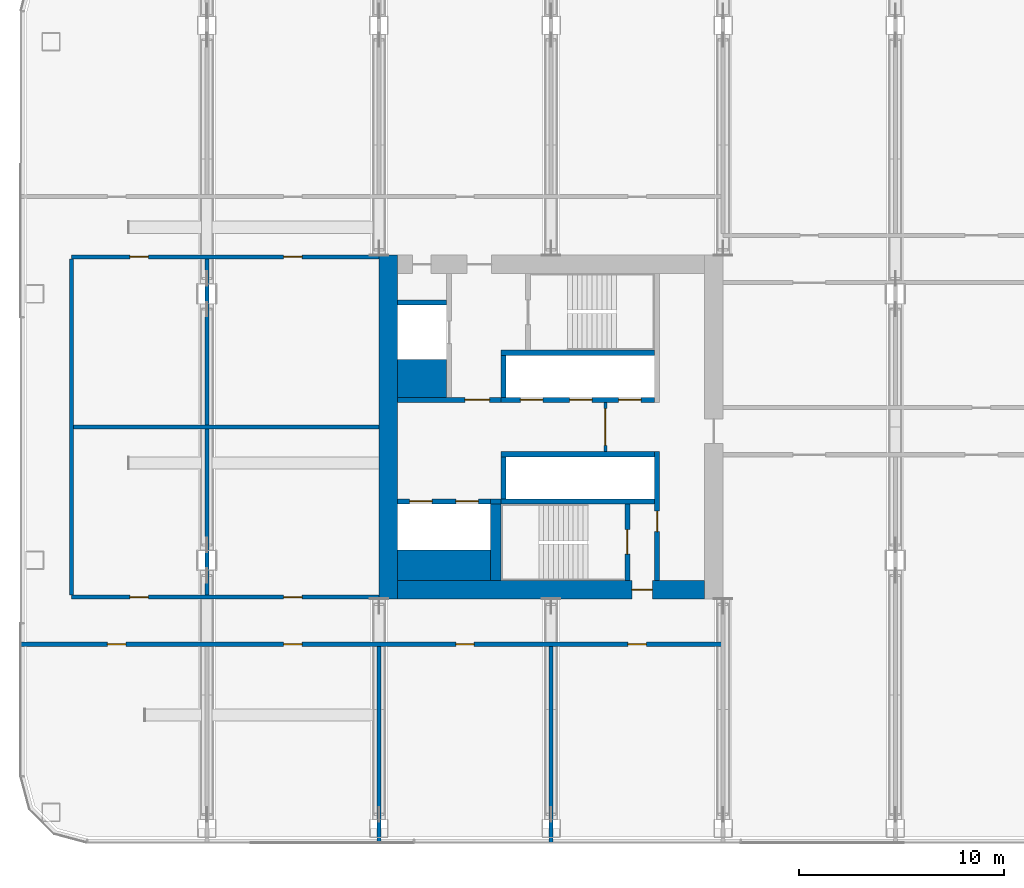
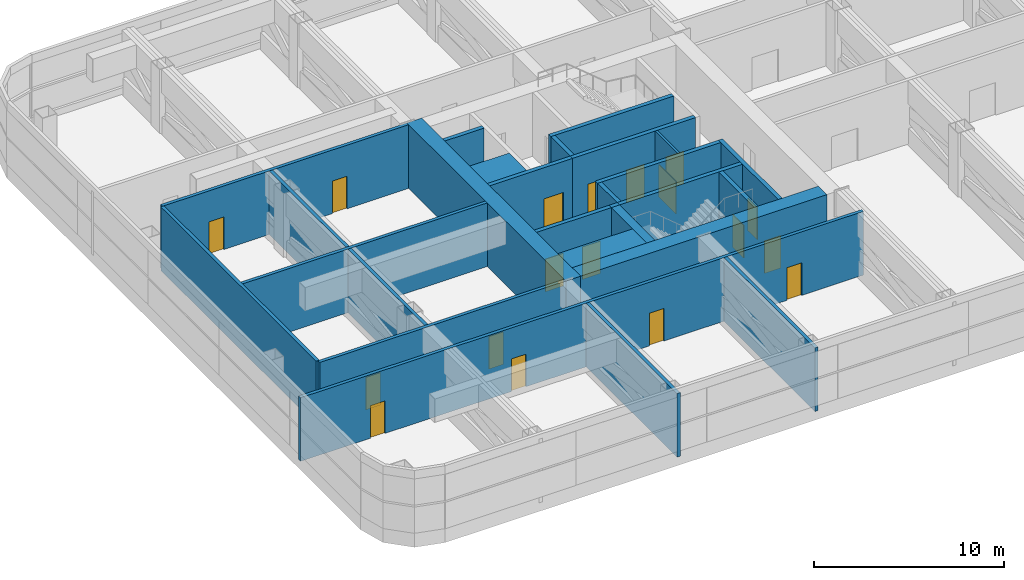
# One storey, part 16 of 30: 26 walls, 18 doors, 18 openings.
"""IFC4 building model written with IfcOpenShell, lengths in metres."""

import ifcopenshell
import ifcopenshell.guid

model = None  # the IFC model being written
_history = None  # IfcOwnerHistory: only IFC2X3 demands one
_inside = {}  # id of a spatial element -> (the spatial element, [elements in it])
_under = {}  # id of a project, library or spatial element -> (it, [spatial elements below it])
_declared = {}  # id of a project -> (the project, [libraries it declares])
_typed = {}  # id of a type object -> (the type object, [elements of that type])
_made_of = {}  # id of a material, layer set ... -> (it, [elements and type objects made of it])


def new_model(schema):
    """Start an empty IFC model of exactly this schema.

    Asked for "IFC4X3", IfcOpenShell would pick the latest addendum, in which some entities
    have other attributes; the version numbers below select the first issue.
    IFC2X3 requires an IfcOwnerHistory on every rooted entity: one is made here for all.
    """
    global model, _history
    if schema == "IFC4X3":
        model = ifcopenshell.file(schema_version=(4, 3, 0, 0))
    else:
        model = ifcopenshell.file(schema=schema)
    _inside.clear()
    _under.clear()
    _declared.clear()
    _typed.clear()
    _made_of.clear()
    _history = None
    if model.schema == "IFC2X3":
        org = make("IfcOrganization", Name="unknown")
        user = make(
            "IfcPersonAndOrganization",
            ThePerson=make("IfcPerson", FamilyName="unknown"),
            TheOrganization=org,
        )
        app = make(
            "IfcApplication",
            ApplicationDeveloper=org,
            Version="unknown",
            ApplicationFullName="unknown",
            ApplicationIdentifier="unknown",
        )
        _history = make(
            "IfcOwnerHistory",
            OwningUser=user,
            OwningApplication=app,
            ChangeAction="ADDED",
            CreationDate=0,
        )
    return model


def make(cls, **values):
    """One entity of the class cls with the attributes given. An attribute that is None is left unset."""
    return model.create_entity(
        cls, **{name: value for name, value in values.items() if value is not None}
    )


def rooted(cls, **values):
    """An entity with a GlobalId (a new one), such as an element, a storey or a relation."""
    return make(cls, GlobalId=ifcopenshell.guid.new(), OwnerHistory=_history, **values)


def si_unit(unit_type, name, prefix=None):
    """IfcSIUnit, for example si_unit("LENGTHUNIT", "METRE", prefix="MILLI")."""
    return make("IfcSIUnit", UnitType=unit_type, Prefix=prefix, Name=name)


def assignment(units):
    """IfcUnitAssignment: the units of a project."""
    return None if units is None else make("IfcUnitAssignment", Units=units)


def point(xyz):
    """IfcCartesianPoint."""
    return None if xyz is None else make("IfcCartesianPoint", Coordinates=xyz)


def direction(xyz):
    """IfcDirection."""
    return None if xyz is None else make("IfcDirection", DirectionRatios=xyz)


def frame(location, z_axis=None, x_axis=None):
    """IfcAxis2Placement3D, a coordinate frame: its origin and axes. An axis left out is left unset."""
    return make(
        "IfcAxis2Placement3D",
        Location=point(location),
        Axis=direction(z_axis),
        RefDirection=direction(x_axis),
    )


def frame_2d(location, x_axis=None):
    """IfcAxis2Placement2D, a coordinate frame in the plane: its origin and x axis."""
    return make(
        "IfcAxis2Placement2D", Location=point(location), RefDirection=direction(x_axis)
    )


def origin():
    """The frame at (0, 0, 0) with its axes left unset."""
    return frame((0.0, 0.0, 0.0))


def place(relative_to, where):
    """IfcLocalPlacement: puts the frame where relative to a parent placement (None: the world)."""
    return make(
        "IfcLocalPlacement", PlacementRelTo=relative_to, RelativePlacement=where
    )


def context(
    kind, dimensions, precision=None, world=None, true_north=None, identifier=None
):
    """IfcGeometricRepresentationContext, for example the 3D "Model" context."""
    return make(
        "IfcGeometricRepresentationContext",
        ContextIdentifier=identifier,
        ContextType=kind,
        CoordinateSpaceDimension=dimensions,
        Precision=precision,
        WorldCoordinateSystem=world,
        TrueNorth=true_north,
    )


def subcontext(parent, identifier, kind, view, scale=None):
    """IfcGeometricRepresentationSubContext, for example "Body" below "Model"."""
    return make(
        "IfcGeometricRepresentationSubContext",
        ContextIdentifier=identifier,
        ContextType=kind,
        ParentContext=parent,
        TargetScale=scale,
        TargetView=view,
    )


def project(units=None, contexts=None):
    """IfcProject with its units and contexts."""
    return rooted(
        "IfcProject",
        Name="project",
        RepresentationContexts=contexts,
        UnitsInContext=assignment(units),
    )


def spatial(cls, under=None, at=None, **own):
    """A site, building, storey or space (cls), placed at a placement, below another one or the project."""
    s = rooted(cls, ObjectPlacement=at, **own)
    if under is not None:
        _under.setdefault(under.id(), (under, []))[1].append(s)
    return s


def profile(cls, at=None, kind="AREA", **sizes):
    """A parametric profile (cls). Its sizes go by their IFC names, for example OverallWidth=200.0."""
    return make(cls, ProfileType=kind, Position=at, **sizes)


def rectangle(**sizes):
    """IfcRectangleProfileDef."""
    return profile("IfcRectangleProfileDef", **sizes)


def extrude(swept, where, along, depth):
    """IfcExtrudedAreaSolid: the profile swept, set in the frame where, extruded along a direction by depth."""
    return make(
        "IfcExtrudedAreaSolid",
        SweptArea=swept,
        Position=where,
        ExtrudedDirection=direction(along),
        Depth=depth,
    )


def shape(context_of_items, identifier, shape_type, items):
    """IfcShapeRepresentation: the items that make up one representation, for example the "Body"."""
    return make(
        "IfcShapeRepresentation",
        ContextOfItems=context_of_items,
        RepresentationIdentifier=identifier,
        RepresentationType=shape_type,
        Items=items,
    )


def material(Name=None, Category=None):
    """IfcMaterial."""
    return make("IfcMaterial", Name=Name, Category=Category)


def layer(
    of_material, thickness, ventilated=None, Name=None, Category=None, Priority=None
):
    """IfcMaterialLayer: one layer of a wall or slab, of a material (None: an air gap)."""
    return make(
        "IfcMaterialLayer",
        Material=of_material,
        LayerThickness=thickness,
        IsVentilated=ventilated,
        Name=Name,
        Category=Category,
        Priority=Priority,
    )


def layer_set(layers, Name=None):
    """IfcMaterialLayerSet."""
    return make("IfcMaterialLayerSet", MaterialLayers=layers, LayerSetName=Name)


def made_of(thing, what):
    """Note that an element or type object is made of a material, layer set ...; save() writes the relation."""
    if what is not None:
        _made_of.setdefault(what.id(), (what, []))[1].append(thing)
    return thing


def type_object(cls, material=None, **own):
    """A type object (cls), such as IfcWallType, which elements share."""
    return made_of(rooted(cls, **own), material)


def element(
    cls,
    number,
    at=None,
    inside=None,
    cuts=None,
    type_object=None,
    material=None,
    context=None,
    identifier="Body",
    shape_type=None,
    held_by="IfcProductDefinitionShape",
    body=None,
    shapes=None,
    **own,
):
    """One element of the class cls, such as IfcWall. Its Tag is "e" and its number.

    at: its placement. inside: the storey or other place that contains it. cuts: it is an
    opening in that element (IfcRelVoidsElement). A single representation is given by context,
    identifier, shape_type and body (its items); several are given by shapes. held_by: the class
    of the entity that holds the representations. save() writes the other relations.
    """
    e = rooted(cls, Tag="e%d" % number, ObjectPlacement=at, **own)
    if body is not None:
        shapes = [shape(context, identifier, shape_type, body)]
    if shapes is not None:
        e.Representation = make(held_by, Representations=shapes)
    if inside is not None:
        _inside.setdefault(inside.id(), (inside, []))[1].append(e)
    if cuts is not None:
        rooted(
            "IfcRelVoidsElement", RelatingBuildingElement=cuts, RelatedOpeningElement=e
        )
    if type_object is not None:
        _typed.setdefault(type_object.id(), (type_object, []))[1].append(e)
    return made_of(e, material)


def fill(opening, filler):
    """IfcRelFillsElement: the door or window that sits in an opening."""
    return rooted(
        "IfcRelFillsElement",
        RelatingOpeningElement=opening,
        RelatedBuildingElement=filler,
    )


def aggregate(whole, parts):
    """IfcRelAggregates: a whole, such as a stair, and the parts it consists of."""
    return rooted("IfcRelAggregates", RelatingObject=whole, RelatedObjects=parts)


def save(model, path):
    """Write the relations noted so far, then the file.

    IfcRelAggregates (storeys below a building ...), IfcRelContainedInSpatialStructure (elements
    in a storey), IfcRelDefinesByType, IfcRelAssociatesMaterial and IfcRelDeclares: one each for
    every whole, place, type object, material and project.
    """
    for whole, parts in _under.values():
        aggregate(whole, parts)
    for where, things in _inside.values():
        rooted(
            "IfcRelContainedInSpatialStructure",
            RelatedElements=things,
            RelatingStructure=where,
        )
    for kind, things in _typed.values():
        rooted("IfcRelDefinesByType", RelatedObjects=things, RelatingType=kind)
    for what, things in _made_of.values():
        rooted("IfcRelAssociatesMaterial", RelatedObjects=things, RelatingMaterial=what)
    for by, libraries in _declared.values():
        rooted("IfcRelDeclares", RelatingContext=by, RelatedDefinitions=libraries)
    model.write(path)


model = new_model("IFC4")

# Units and contexts
model_context = context("Model", 3, precision=1e-05, world=origin(), true_north=direction((0.0, 1.0)))
body_context = subcontext(model_context, "Body", "Model", "MODEL_VIEW")
ifc_project = project(units=[si_unit("LENGTHUNIT", "METRE"), si_unit("AREAUNIT", "SQUARE_METRE"), si_unit("VOLUMEUNIT", "CUBIC_METRE"), si_unit("PLANEANGLEUNIT", "RADIAN"), si_unit("MASSUNIT", "GRAM", prefix="KILO")], contexts=[model_context])

# Site, building, storey
site_placement = place(None, origin())
site = spatial("IfcSite", under=ifc_project, at=site_placement, CompositionType="ELEMENT")
building_placement = place(site_placement, origin())
building = spatial("IfcBuilding", under=site, at=building_placement, Name="Hakoniwa Tower and Hamabe Station Hall", CompositionType="ELEMENT")
storey_placement = place(building_placement, frame((0.0, 0.0, 64.60009765625)))
storey = spatial("IfcBuildingStorey", under=building, at=storey_placement, Name="L18", CompositionType="ELEMENT", Elevation=64.60009765625)

# Wall, opening, door
ifc_material_1 = material(Name="Gypsum board partition")
ifc_layer_1 = layer(ifc_material_1, 0.14990234375)
ifc_layer_set_1 = layer_set([ifc_layer_1], Name="CORE PARTITION 150 EI 60")
wall_type_1 = type_object("IfcWallType", Name="CORE PARTITION 150 EI 60", PredefinedType="PARTITIONING", material=ifc_layer_set_1)
wall_1_placement = place(storey_placement, frame((-22.550048828125, -1.199951171875, 0.0), z_axis=(0.0, 0.0, 1.0), x_axis=(0.0, 1.0, 0.0)))
wall_1 = element("IfcWall", 1, at=wall_1_placement, inside=storey, type_object=wall_type_1, Name="Core partition PL0 west", PredefinedType="PARTITIONING", context=body_context, shape_type="SweptSolid", body=[
    extrude(rectangle(XDim=2.39990234375, YDim=0.14990234375, at=frame_2d((1.199951171875, 0.0))), origin(), (0.0, 0.0, 1.0), 4.099853515625),
])
opening_1_placement = place(wall_1_placement, frame((0.300048828125, 0.0, 0.0)))
opening_1 = element("IfcOpeningElement", 2, at=opening_1_placement, cuts=wall_1, Name="Opening CD-W-LP0-18", PredefinedType="OPENING", context=body_context, shape_type="SweptSolid", body=[
    extrude(rectangle(XDim=1.800048828125, YDim=2.10009765625, at=frame_2d((0.89990234375, 1.050048828125))), frame((0.0, 0.0849609375, 0.0), z_axis=(0.0, -1.0, 0.0), x_axis=(1.0, 0.0, 0.0)), (0.0, 0.0, 1.0), 0.169921875),
])
ifc_material_2 = material(Name="Steel fire door", Category="steel")
door_type_1 = type_object("IfcDoorType", Name="CORE DOOR 1800 FD60", OperationType="DOUBLE_DOOR_SINGLE_SWING", PredefinedType="DOOR", material=ifc_material_2)
door_1_placement = place(opening_1_placement, origin())
door_1 = element("IfcDoor", 3, at=door_1_placement, inside=storey, type_object=door_type_1, Name="Lift lobby partition door", OperationType="DOUBLE_DOOR_SINGLE_SWING", OverallHeight=2.10009765625, OverallWidth=1.800048828125, PredefinedType="DOOR", context=body_context, shape_type="SweptSolid", body=[
    extrude(rectangle(XDim=1.800048828125, YDim=2.10009765625, at=frame_2d((0.89990234375, 1.050048828125))), frame((0.0, 0.02490234375, 0.0), z_axis=(0.0, -1.0, 0.0), x_axis=(1.0, 0.0, 0.0)), (0.0, 0.0, 1.0), 0.050048828125),
])
fill(opening_1, door_1)

# Wall
ifc_material_3 = material(Name="Concrete C80", Category="concrete")
ifc_layer_2 = layer(ifc_material_3, 0.89990234375)
ifc_layer_set_2 = layer_set([ifc_layer_2], Name="CORE WALL 900 C80")
wall_type_2 = type_object("IfcWallType", Name="CORE WALL 900 C80", PredefinedType="SHEAR", material=ifc_layer_set_2)
wall_2_placement = place(storey_placement, frame((-33.14990234375, -8.39990234375, 0.0), z_axis=(0.0, 0.0, 1.0), x_axis=(0.0, 1.0, 0.0)))
element("IfcWall", 4, at=wall_2_placement, inside=storey, type_object=wall_type_2, Name="Core wall OUTER west", PredefinedType="SHEAR", context=body_context, shape_type="SweptSolid", body=[
    extrude(rectangle(XDim=16.7998046875, YDim=0.89990234375, at=frame_2d((8.39990234375, 0.0))), origin(), (0.0, 0.0, 1.0), 4.099853515625),
])

# Wall, opening, door
wall_3_placement = place(storey_placement, frame((-32.699951171875, -7.949951171875, 0.0), z_axis=(0.0, 0.0, 1.0), x_axis=(1.0, 0.0, 0.0)))
wall_3 = element("IfcWall", 5, at=wall_3_placement, inside=storey, type_object=wall_type_2, Name="Core wall SOUTH west", PredefinedType="SHEAR", context=body_context, shape_type="SweptSolid", body=[
    extrude(rectangle(XDim=15.0, YDim=0.89990234375, at=frame_2d((7.5, 0.0))), origin(), (0.0, 0.0, 1.0), 4.099853515625),
])
opening_2_placement = place(wall_3_placement, frame((11.449951171875, 0.0, 0.0)))
opening_2 = element("IfcOpeningElement", 6, at=opening_2_placement, cuts=wall_3, Name="Opening CD-W-FS3-10", PredefinedType="OPENING", context=body_context, shape_type="SweptSolid", body=[
    extrude(rectangle(XDim=1.0, YDim=2.10009765625, at=frame_2d((0.5, 1.050048828125))), frame((0.0, 0.4599609375, 0.0), z_axis=(0.0, -1.0, 0.0), x_axis=(1.0, 0.0, 0.0)), (0.0, 0.0, 1.0), 0.919921875),
])
ifc_material_4 = material(Name="Steel fire door", Category="steel")
door_type_2 = type_object("IfcDoorType", Name="CORE DOOR 1000 FD60", OperationType="NOTDEFINED", PredefinedType="DOOR", material=ifc_material_4)
door_2_placement = place(opening_2_placement, origin())
door_2 = element("IfcDoor", 7, at=door_2_placement, inside=storey, type_object=door_type_2, Name="Stair vestibule door", OperationType="SINGLE_SWING_LEFT", OverallHeight=2.10009765625, OverallWidth=1.0, PredefinedType="DOOR", context=body_context, shape_type="SweptSolid", body=[
    extrude(rectangle(XDim=1.0, YDim=2.10009765625, at=frame_2d((0.5, 1.050048828125))), frame((0.0, 0.02490234375, 0.0), z_axis=(0.0, -1.0, 0.0), x_axis=(1.0, 0.0, 0.0)), (0.0, 0.0, 1.0), 0.050048828125),
])
fill(opening_2, door_2)

# Walls
ifc_material_5 = material(Name="Concrete C80", Category="concrete")
ifc_layer_3 = layer(ifc_material_5, 1.5)
ifc_layer_set_3 = layer_set([ifc_layer_3], Name="CORE WEB WALL 1500 C80")
wall_type_3 = type_object("IfcWallType", Name="CORE WEB WALL 1500 C80", PredefinedType="SHEAR", material=ifc_layer_set_3)
wall_4_placement = place(storey_placement, frame((-32.699951171875, -6.75, 0.0), z_axis=(0.0, 0.0, 1.0), x_axis=(1.0, 0.0, 0.0)))
element("IfcWall", 8, at=wall_4_placement, inside=storey, type_object=wall_type_3, Name="Core wall SER west", PredefinedType="SHEAR", context=body_context, shape_type="SweptSolid", body=[
    extrude(rectangle(XDim=4.550048828125, YDim=1.5, at=frame_2d((2.27490234375, 0.0))), origin(), (0.0, 0.0, 1.0), 4.099853515625),
])
ifc_material_6 = material(Name="Concrete C80", Category="concrete")
ifc_layer_4 = layer(ifc_material_6, 1.85009765625)
ifc_layer_set_4 = layer_set([ifc_layer_4], Name="CORE WEB WALL 1850 C80")
wall_type_4 = type_object("IfcWallType", Name="CORE WEB WALL 1850 C80", PredefinedType="SHEAR", material=ifc_layer_set_4)
wall_5_placement = place(storey_placement, frame((-32.699951171875, 2.375, 0.0), z_axis=(0.0, 0.0, 1.0), x_axis=(1.0, 0.0, 0.0)))
element("IfcWall", 9, at=wall_5_placement, inside=storey, type_object=wall_type_4, Name="Core wall CA west", PredefinedType="SHEAR", context=body_context, shape_type="SweptSolid", body=[
    extrude(rectangle(XDim=2.39990234375, YDim=1.85009765625, at=frame_2d((1.199951171875, 0.0))), origin(), (0.0, 0.0, 1.0), 4.099853515625),
])

# Wall, opening, door
ifc_material_7 = material(Name="Concrete C80", Category="concrete")
ifc_layer_5 = layer(ifc_material_7, 0.25)
ifc_layer_set_5 = layer_set([ifc_layer_5], Name="CORE WEB WALL 250 C80")
wall_type_5 = type_object("IfcWallType", Name="CORE WEB WALL 250 C80", PredefinedType="SHEAR", material=ifc_layer_set_5)
wall_6_placement = place(storey_placement, frame((-20.02490234375, -7.5, 0.0), z_axis=(0.0, 0.0, 1.0), x_axis=(0.0, 1.0, 0.0)))
wall_6 = element("IfcWall", 10, at=wall_6_placement, inside=storey, type_object=wall_type_5, Name="Core wall W1S west", PredefinedType="SHEAR", context=body_context, shape_type="SweptSolid", body=[
    extrude(rectangle(XDim=6.300048828125, YDim=0.25, at=frame_2d((3.14990234375, 0.0))), origin(), (0.0, 0.0, 1.0), 4.099853515625),
])
opening_3_placement = place(wall_6_placement, frame((2.39990234375, 0.0, 0.0)))
opening_3 = element("IfcOpeningElement", 11, at=opening_3_placement, cuts=wall_6, Name="Opening CD-W-VS-10", PredefinedType="OPENING", context=body_context, shape_type="SweptSolid", body=[
    extrude(rectangle(XDim=1.0, YDim=2.10009765625, at=frame_2d((0.5, 1.050048828125))), frame((0.0, 0.135009765625, 0.0), z_axis=(0.0, -1.0, 0.0), x_axis=(1.0, 0.0, 0.0)), (0.0, 0.0, 1.0), 0.27001953125),
])
door_3_placement = place(opening_3_placement, origin())
door_3 = element("IfcDoor", 12, at=door_3_placement, inside=storey, type_object=door_type_2, Name="Stair vestibule door", OperationType="SINGLE_SWING_LEFT", OverallHeight=2.10009765625, OverallWidth=1.0, PredefinedType="DOOR", context=body_context, shape_type="SweptSolid", body=[
    extrude(rectangle(XDim=1.0, YDim=2.10009765625, at=frame_2d((0.5, 1.050048828125))), frame((0.0, 0.02490234375, 0.0), z_axis=(0.0, -1.0, 0.0), x_axis=(1.0, 0.0, 0.0)), (0.0, 0.0, 1.0), 0.050048828125),
])
fill(opening_3, door_3)

# Wall, openings, doors
wall_7_placement = place(storey_placement, frame((-27.64990234375, 1.324951171875, 0.0), z_axis=(0.0, 0.0, 1.0), x_axis=(1.0, 0.0, 0.0)))
wall_7 = element("IfcWall", 13, at=wall_7_placement, inside=storey, type_object=wall_type_5, Name="Core wall NF west", PredefinedType="SHEAR", context=body_context, shape_type="SweptSolid", body=[
    extrude(rectangle(XDim=7.5, YDim=0.25, at=frame_2d((3.75, 0.0))), origin(), (0.0, 0.0, 1.0), 4.099853515625),
])
opening_4_placement = place(wall_7_placement, frame((5.75, 0.0, 0.0)))
opening_4 = element("IfcOpeningElement", 14, at=opening_4_placement, cuts=wall_7, Name="Opening LD-LR1", PredefinedType="OPENING", context=body_context, shape_type="SweptSolid", body=[
    extrude(rectangle(XDim=1.10009765625, YDim=2.10009765625, at=frame_2d((0.550048828125, 1.050048828125))), frame((0.0, 0.135009765625, 0.0), z_axis=(0.0, -1.0, 0.0), x_axis=(1.0, 0.0, 0.0)), (0.0, 0.0, 1.0), 0.27001953125),
])
opening_5_placement = place(wall_7_placement, frame((3.35009765625, 0.0, 0.0)))
opening_5 = element("IfcOpeningElement", 15, at=opening_5_placement, cuts=wall_7, Name="Opening LD-LR2", PredefinedType="OPENING", context=body_context, shape_type="SweptSolid", body=[
    extrude(rectangle(XDim=1.10009765625, YDim=2.10009765625, at=frame_2d((0.550048828125, 1.050048828125))), frame((0.0, 0.135009765625, 0.0), z_axis=(0.0, -1.0, 0.0), x_axis=(1.0, 0.0, 0.0)), (0.0, 0.0, 1.0), 0.27001953125),
])
opening_6_placement = place(wall_7_placement, frame((0.949951171875, 0.0, 0.0)))
opening_6 = element("IfcOpeningElement", 16, at=opening_6_placement, cuts=wall_7, Name="Opening LD-LR3", PredefinedType="OPENING", context=body_context, shape_type="SweptSolid", body=[
    extrude(rectangle(XDim=1.10009765625, YDim=2.10009765625, at=frame_2d((0.550048828125, 1.050048828125))), frame((0.0, 0.135009765625, 0.0), z_axis=(0.0, -1.0, 0.0), x_axis=(1.0, 0.0, 0.0)), (0.0, 0.0, 1.0), 0.27001953125),
])
ifc_material_8 = material(Name="Stainless steel SUS304", Category="steel")
door_type_3 = type_object("IfcDoorType", Name="LIFT LANDING DOOR 1100 FD60", OperationType="DOUBLE_DOOR_SLIDING", PredefinedType="DOOR", material=ifc_material_8)
door_4_placement = place(opening_4_placement, origin())
door_4 = element("IfcDoor", 17, at=door_4_placement, inside=storey, type_object=door_type_3, Name="Lift landing door LR1 L18", OperationType="DOUBLE_DOOR_SLIDING", OverallHeight=2.10009765625, OverallWidth=1.10009765625, PredefinedType="DOOR", context=body_context, shape_type="SweptSolid", body=[
    extrude(rectangle(XDim=1.10009765625, YDim=2.10009765625, at=frame_2d((0.550048828125, 1.050048828125))), frame((0.0, 0.02490234375, 0.0), z_axis=(0.0, -1.0, 0.0), x_axis=(1.0, 0.0, 0.0)), (0.0, 0.0, 1.0), 0.050048828125),
])
fill(opening_4, door_4)
door_5_placement = place(opening_5_placement, origin())
door_5 = element("IfcDoor", 18, at=door_5_placement, inside=storey, type_object=door_type_3, Name="Lift landing door LR2 L18", OperationType="DOUBLE_DOOR_SLIDING", OverallHeight=2.10009765625, OverallWidth=1.10009765625, PredefinedType="DOOR", context=body_context, shape_type="SweptSolid", body=[
    extrude(rectangle(XDim=1.10009765625, YDim=2.10009765625, at=frame_2d((0.550048828125, 1.050048828125))), frame((0.0, 0.02490234375, 0.0), z_axis=(0.0, -1.0, 0.0), x_axis=(1.0, 0.0, 0.0)), (0.0, 0.0, 1.0), 0.050048828125),
])
fill(opening_5, door_5)
door_6_placement = place(opening_6_placement, origin())
door_6 = element("IfcDoor", 19, at=door_6_placement, inside=storey, type_object=door_type_3, Name="Lift landing door LR3 L18", OperationType="DOUBLE_DOOR_SLIDING", OverallHeight=2.10009765625, OverallWidth=1.10009765625, PredefinedType="DOOR", context=body_context, shape_type="SweptSolid", body=[
    extrude(rectangle(XDim=1.10009765625, YDim=2.10009765625, at=frame_2d((0.550048828125, 1.050048828125))), frame((0.0, 0.02490234375, 0.0), z_axis=(0.0, -1.0, 0.0), x_axis=(1.0, 0.0, 0.0)), (0.0, 0.0, 1.0), 0.050048828125),
])
fill(opening_6, door_6)

# Walls
wall_8_placement = place(storey_placement, frame((-27.52490234375, 1.449951171875, 0.0), z_axis=(0.0, 0.0, 1.0), x_axis=(0.0, 1.0, 0.0)))
element("IfcWall", 20, at=wall_8_placement, inside=storey, type_object=wall_type_5, Name="Core wall NE west", PredefinedType="SHEAR", context=body_context, shape_type="SweptSolid", body=[
    extrude(rectangle(XDim=2.050048828125, YDim=0.25, at=frame_2d((1.02490234375, 0.0))), origin(), (0.0, 0.0, 1.0), 4.099853515625),
])
wall_9_placement = place(storey_placement, frame((-27.64990234375, 3.625, 0.0), z_axis=(0.0, 0.0, 1.0), x_axis=(1.0, 0.0, 0.0)))
element("IfcWall", 21, at=wall_9_placement, inside=storey, type_object=wall_type_5, Name="Core wall NR west", PredefinedType="SHEAR", context=body_context, shape_type="SweptSolid", body=[
    extrude(rectangle(XDim=7.5, YDim=0.25, at=frame_2d((3.75, 0.0))), origin(), (0.0, 0.0, 1.0), 4.099853515625),
])

# Wall, opening, door
wall_10_placement = place(storey_placement, frame((-32.699951171875, 1.324951171875, 0.0), z_axis=(0.0, 0.0, 1.0), x_axis=(1.0, 0.0, 0.0)))
wall_10 = element("IfcWall", 22, at=wall_10_placement, inside=storey, type_object=wall_type_5, Name="Core wall ELN west", PredefinedType="SHEAR", context=body_context, shape_type="SweptSolid", body=[
    extrude(rectangle(XDim=5.050048828125, YDim=0.25, at=frame_2d((2.52490234375, 0.0))), origin(), (0.0, 0.0, 1.0), 4.099853515625),
])
opening_7_placement = place(wall_10_placement, frame((3.300048828125, 0.0, 0.0)))
opening_7 = element("IfcOpeningElement", 23, at=opening_7_placement, cuts=wall_10, Name="Opening CD-W-FL-12", PredefinedType="OPENING", context=body_context, shape_type="SweptSolid", body=[
    extrude(rectangle(XDim=1.199951171875, YDim=2.10009765625, at=frame_2d((0.60009765625, 1.050048828125))), frame((0.0, 0.135009765625, 0.0), z_axis=(0.0, -1.0, 0.0), x_axis=(1.0, 0.0, 0.0)), (0.0, 0.0, 1.0), 0.27001953125),
])
ifc_material_9 = material(Name="Steel fire door", Category="steel")
door_type_4 = type_object("IfcDoorType", Name="CORE DOOR 1200 FD60", OperationType="DOUBLE_DOOR_SINGLE_SWING", PredefinedType="DOOR", material=ifc_material_9)
door_7_placement = place(opening_7_placement, origin())
door_7 = element("IfcDoor", 24, at=door_7_placement, inside=storey, type_object=door_type_4, Name="Stair vestibule door to the fire-fighting lobby", OperationType="DOUBLE_DOOR_SINGLE_SWING", OverallHeight=2.10009765625, OverallWidth=1.199951171875, PredefinedType="DOOR", context=body_context, shape_type="SweptSolid", body=[
    extrude(rectangle(XDim=1.199951171875, YDim=2.10009765625, at=frame_2d((0.60009765625, 1.050048828125))), frame((0.0, 0.02490234375, 0.0), z_axis=(0.0, -1.0, 0.0), x_axis=(1.0, 0.0, 0.0)), (0.0, 0.0, 1.0), 0.050048828125),
])
fill(opening_7, door_7)

# Walls
wall_11_placement = place(storey_placement, frame((-32.699951171875, 6.074951171875, 0.0), z_axis=(0.0, 0.0, 1.0), x_axis=(1.0, 0.0, 0.0)))
element("IfcWall", 25, at=wall_11_placement, inside=storey, type_object=wall_type_5, Name="Core wall C2 west", PredefinedType="SHEAR", context=body_context, shape_type="SweptSolid", body=[
    extrude(rectangle(XDim=2.39990234375, YDim=0.25, at=frame_2d((1.199951171875, 0.0))), origin(), (0.0, 0.0, 1.0), 4.099853515625),
])
wall_12_placement = place(storey_placement, frame((-27.64990234375, -1.324951171875, 0.0), z_axis=(0.0, 0.0, 1.0), x_axis=(1.0, 0.0, 0.0)))
element("IfcWall", 26, at=wall_12_placement, inside=storey, type_object=wall_type_5, Name="Core wall SF west", PredefinedType="SHEAR", context=body_context, shape_type="SweptSolid", body=[
    extrude(rectangle(XDim=7.5, YDim=0.25, at=frame_2d((3.75, 0.0))), origin(), (0.0, 0.0, 1.0), 4.099853515625),
])
wall_13_placement = place(storey_placement, frame((-27.52490234375, -3.5, 0.0), z_axis=(0.0, 0.0, 1.0), x_axis=(0.0, 1.0, 0.0)))
element("IfcWall", 27, at=wall_13_placement, inside=storey, type_object=wall_type_5, Name="Core wall SE west", PredefinedType="SHEAR", context=body_context, shape_type="SweptSolid", body=[
    extrude(rectangle(XDim=2.050048828125, YDim=0.25, at=frame_2d((1.02490234375, 0.0))), origin(), (0.0, 0.0, 1.0), 4.099853515625),
])
wall_14_placement = place(storey_placement, frame((-27.64990234375, -3.625, 0.0), z_axis=(0.0, 0.0, 1.0), x_axis=(1.0, 0.0, 0.0)))
element("IfcWall", 28, at=wall_14_placement, inside=storey, type_object=wall_type_5, Name="Core wall SR west", PredefinedType="SHEAR", context=body_context, shape_type="SweptSolid", body=[
    extrude(rectangle(XDim=7.5, YDim=0.25, at=frame_2d((3.75, 0.0))), origin(), (0.0, 0.0, 1.0), 4.099853515625),
])

# Wall, opening, door
wall_15_placement = place(storey_placement, frame((-21.47509765625, -7.5, 0.0), z_axis=(0.0, 0.0, 1.0), x_axis=(0.0, 1.0, 0.0)))
wall_15 = element("IfcWall", 29, at=wall_15_placement, inside=storey, type_object=wall_type_5, Name="Core wall VE west", PredefinedType="SHEAR", context=body_context, shape_type="SweptSolid", body=[
    extrude(rectangle(XDim=3.75, YDim=0.25, at=frame_2d((1.875, 0.0))), origin(), (0.0, 0.0, 1.0), 4.099853515625),
])
opening_8_placement = place(wall_15_placement, frame((1.300048828125, 0.0, 0.0)))
opening_8 = element("IfcOpeningElement", 30, at=opening_8_placement, cuts=wall_15, Name="Opening CD-W-SS-12", PredefinedType="OPENING", context=body_context, shape_type="SweptSolid", body=[
    extrude(rectangle(XDim=1.199951171875, YDim=2.10009765625, at=frame_2d((0.60009765625, 1.050048828125))), frame((0.0, 0.135009765625, 0.0), z_axis=(0.0, -1.0, 0.0), x_axis=(1.0, 0.0, 0.0)), (0.0, 0.0, 1.0), 0.27001953125),
])
door_8_placement = place(opening_8_placement, origin())
door_8 = element("IfcDoor", 31, at=door_8_placement, inside=storey, type_object=door_type_4, Name="Escape stair door", OperationType="DOUBLE_DOOR_SINGLE_SWING", OverallHeight=2.10009765625, OverallWidth=1.199951171875, PredefinedType="DOOR", context=body_context, shape_type="SweptSolid", body=[
    extrude(rectangle(XDim=1.199951171875, YDim=2.10009765625, at=frame_2d((0.60009765625, 1.050048828125))), frame((0.0, 0.02490234375, 0.0), z_axis=(0.0, -1.0, 0.0), x_axis=(1.0, 0.0, 0.0)), (0.0, 0.0, 1.0), 0.050048828125),
])
fill(opening_8, door_8)

# Wall, openings, doors
wall_16_placement = place(storey_placement, frame((-32.699951171875, -3.625, 0.0), z_axis=(0.0, 0.0, 1.0), x_axis=(1.0, 0.0, 0.0)))
wall_16 = element("IfcWall", 32, at=wall_16_placement, inside=storey, type_object=wall_type_5, Name="Core wall SEF west", PredefinedType="SHEAR", context=body_context, shape_type="SweptSolid", body=[
    extrude(rectangle(XDim=4.550048828125, YDim=0.25, at=frame_2d((2.27490234375, 0.0))), origin(), (0.0, 0.0, 1.0), 4.099853515625),
])
opening_9_placement = place(wall_16_placement, frame((2.85009765625, 0.0, 0.0)))
opening_9 = element("IfcOpeningElement", 33, at=opening_9_placement, cuts=wall_16, Name="Opening LD-SV1", PredefinedType="OPENING", context=body_context, shape_type="SweptSolid", body=[
    extrude(rectangle(XDim=1.10009765625, YDim=2.10009765625, at=frame_2d((0.550048828125, 1.050048828125))), frame((0.0, 0.135009765625, 0.0), z_axis=(0.0, -1.0, 0.0), x_axis=(1.0, 0.0, 0.0)), (0.0, 0.0, 1.0), 0.27001953125),
])
opening_10_placement = place(wall_16_placement, frame((0.60009765625, 0.0, 0.0)))
opening_10 = element("IfcOpeningElement", 34, at=opening_10_placement, cuts=wall_16, Name="Opening LD-SV2", PredefinedType="OPENING", context=body_context, shape_type="SweptSolid", body=[
    extrude(rectangle(XDim=1.10009765625, YDim=2.10009765625, at=frame_2d((0.550048828125, 1.050048828125))), frame((0.0, 0.135009765625, 0.0), z_axis=(0.0, -1.0, 0.0), x_axis=(1.0, 0.0, 0.0)), (0.0, 0.0, 1.0), 0.27001953125),
])
door_9_placement = place(opening_9_placement, origin())
door_9 = element("IfcDoor", 35, at=door_9_placement, inside=storey, type_object=door_type_3, Name="Lift landing door SV1 L18", OperationType="DOUBLE_DOOR_SLIDING", OverallHeight=2.10009765625, OverallWidth=1.10009765625, PredefinedType="DOOR", context=body_context, shape_type="SweptSolid", body=[
    extrude(rectangle(XDim=1.10009765625, YDim=2.10009765625, at=frame_2d((0.550048828125, 1.050048828125))), frame((0.0, 0.02490234375, 0.0), z_axis=(0.0, -1.0, 0.0), x_axis=(1.0, 0.0, 0.0)), (0.0, 0.0, 1.0), 0.050048828125),
])
fill(opening_9, door_9)
door_10_placement = place(opening_10_placement, origin())
door_10 = element("IfcDoor", 36, at=door_10_placement, inside=storey, type_object=door_type_3, Name="Lift landing door SV2 L18", OperationType="DOUBLE_DOOR_SLIDING", OverallHeight=2.10009765625, OverallWidth=1.10009765625, PredefinedType="DOOR", context=body_context, shape_type="SweptSolid", body=[
    extrude(rectangle(XDim=1.10009765625, YDim=2.10009765625, at=frame_2d((0.550048828125, 1.050048828125))), frame((0.0, 0.02490234375, 0.0), z_axis=(0.0, -1.0, 0.0), x_axis=(1.0, 0.0, 0.0)), (0.0, 0.0, 1.0), 0.050048828125),
])
fill(opening_10, door_10)

# Walls
wall_17_placement = place(storey_placement, frame((-28.14990234375, -3.625, 0.0), z_axis=(0.0, 0.0, 1.0), x_axis=(1.0, 0.0, 0.0)))
element("IfcWall", 37, at=wall_17_placement, inside=storey, type_object=wall_type_5, Name="Core wall SRK west", PredefinedType="SHEAR", context=body_context, shape_type="SweptSolid", body=[
    extrude(rectangle(XDim=0.5, YDim=0.25, at=frame_2d((0.25, 0.0))), origin(), (0.0, 0.0, 1.0), 4.099853515625),
])
ifc_material_10 = material(Name="Concrete C80", Category="concrete")
ifc_layer_6 = layer(ifc_material_10, 0.5)
ifc_layer_set_6 = layer_set([ifc_layer_6], Name="CORE WEB WALL 500 C80")
wall_type_6 = type_object("IfcWallType", Name="CORE WEB WALL 500 C80", PredefinedType="SHEAR", material=ifc_layer_set_6)
wall_18_placement = place(storey_placement, frame((-27.89990234375, -7.5, 0.0), z_axis=(0.0, 0.0, 1.0), x_axis=(0.0, 1.0, 0.0)))
element("IfcWall", 38, at=wall_18_placement, inside=storey, type_object=wall_type_6, Name="Core wall SSE west", PredefinedType="SHEAR", context=body_context, shape_type="SweptSolid", body=[
    extrude(rectangle(XDim=3.75, YDim=0.5, at=frame_2d((1.875, 0.0))), origin(), (0.0, 0.0, 1.0), 4.099853515625),
])

# Wall, openings, doors
ifc_material_11 = material(Name="Fire-rated gypsum board partition", Category="gypsum")
ifc_layer_7 = layer(ifc_material_11, 0.199951171875)
ifc_layer_set_7 = layer_set([ifc_layer_7], Name="Corridor Wall 200")
wall_type_7 = type_object("IfcWallType", Name="Corridor Wall 200", PredefinedType="PARTITIONING", material=ifc_layer_set_7)
wall_19_placement = place(storey_placement, frame((-51.10009765625, -10.60009765625, 0.0), z_axis=(0.0, 0.0, 1.0), x_axis=(1.0, 0.0, 0.0)))
wall_19 = element("IfcWall", 39, at=wall_19_placement, inside=storey, type_object=wall_type_7, Name="GW-L18-001", PredefinedType="PARTITIONING", context=body_context, shape_type="SweptSolid", body=[
    extrude(rectangle(XDim=34.300048828125, YDim=0.199951171875, at=frame_2d((17.14990234375, 0.0))), origin(), (0.0, 0.0, 1.0), 4.099853515625),
])
opening_11_placement = place(wall_19_placement, frame((4.25, 0.0, 0.0)))
opening_11 = element("IfcOpeningElement", 40, at=opening_11_placement, cuts=wall_19, Name="Opening GD-SL18-01", PredefinedType="OPENING", context=body_context, shape_type="SweptSolid", body=[
    extrude(rectangle(XDim=0.89990234375, YDim=2.10009765625, at=frame_2d((0.449951171875, 1.050048828125))), frame((0.0, 0.10986328125, 0.0), z_axis=(0.0, -1.0, 0.0), x_axis=(1.0, 0.0, 0.0)), (0.0, 0.0, 1.0), 0.219970703125),
])
opening_12_placement = place(wall_19_placement, frame((12.85009765625, 0.0, 0.0)))
opening_12 = element("IfcOpeningElement", 41, at=opening_12_placement, cuts=wall_19, Name="Opening GD-SL18-02", PredefinedType="OPENING", context=body_context, shape_type="SweptSolid", body=[
    extrude(rectangle(XDim=0.89990234375, YDim=2.10009765625, at=frame_2d((0.449951171875, 1.050048828125))), frame((0.0, 0.10986328125, 0.0), z_axis=(0.0, -1.0, 0.0), x_axis=(1.0, 0.0, 0.0)), (0.0, 0.0, 1.0), 0.219970703125),
])
opening_13_placement = place(wall_19_placement, frame((21.25, 0.0, 0.0)))
opening_13 = element("IfcOpeningElement", 42, at=opening_13_placement, cuts=wall_19, Name="Opening GD-SL18-03", PredefinedType="OPENING", context=body_context, shape_type="SweptSolid", body=[
    extrude(rectangle(XDim=0.89990234375, YDim=2.10009765625, at=frame_2d((0.449951171875, 1.050048828125))), frame((0.0, 0.10986328125, 0.0), z_axis=(0.0, -1.0, 0.0), x_axis=(1.0, 0.0, 0.0)), (0.0, 0.0, 1.0), 0.219970703125),
])
opening_14_placement = place(wall_19_placement, frame((29.64990234375, 0.0, 0.0)))
opening_14 = element("IfcOpeningElement", 43, at=opening_14_placement, cuts=wall_19, Name="Opening GD-SL18-04", PredefinedType="OPENING", context=body_context, shape_type="SweptSolid", body=[
    extrude(rectangle(XDim=0.89990234375, YDim=2.10009765625, at=frame_2d((0.449951171875, 1.050048828125))), frame((0.0, 0.10986328125, 0.0), z_axis=(0.0, -1.0, 0.0), x_axis=(1.0, 0.0, 0.0)), (0.0, 0.0, 1.0), 0.219970703125),
])
ifc_material_12 = material(Name="Timber door leaf", Category="wood")
door_type_5 = type_object("IfcDoorType", Name="Service Door 900", OperationType="SINGLE_SWING_LEFT", PredefinedType="DOOR", material=ifc_material_12)
door_11_placement = place(opening_11_placement, origin())
door_11 = element("IfcDoor", 44, at=door_11_placement, inside=storey, type_object=door_type_5, Name="Door GD-SL18-01", OperationType="SINGLE_SWING_LEFT", OverallHeight=2.10009765625, OverallWidth=0.89990234375, PredefinedType="DOOR", context=body_context, shape_type="SweptSolid", body=[
    extrude(rectangle(XDim=0.89990234375, YDim=2.10009765625, at=frame_2d((0.449951171875, 1.050048828125))), frame((0.0, 0.02490234375, 0.0), z_axis=(0.0, -1.0, 0.0), x_axis=(1.0, 0.0, 0.0)), (0.0, 0.0, 1.0), 0.050048828125),
])
fill(opening_11, door_11)
door_12_placement = place(opening_12_placement, origin())
door_12 = element("IfcDoor", 45, at=door_12_placement, inside=storey, type_object=door_type_5, Name="Door GD-SL18-02", OperationType="SINGLE_SWING_RIGHT", OverallHeight=2.10009765625, OverallWidth=0.89990234375, PredefinedType="DOOR", context=body_context, shape_type="SweptSolid", body=[
    extrude(rectangle(XDim=0.89990234375, YDim=2.10009765625, at=frame_2d((0.449951171875, 1.050048828125))), frame((0.0, 0.02490234375, 0.0), z_axis=(0.0, -1.0, 0.0), x_axis=(1.0, 0.0, 0.0)), (0.0, 0.0, 1.0), 0.050048828125),
])
fill(opening_12, door_12)
door_13_placement = place(opening_13_placement, origin())
door_13 = element("IfcDoor", 46, at=door_13_placement, inside=storey, type_object=door_type_5, Name="Door GD-SL18-03", OperationType="SINGLE_SWING_LEFT", OverallHeight=2.10009765625, OverallWidth=0.89990234375, PredefinedType="DOOR", context=body_context, shape_type="SweptSolid", body=[
    extrude(rectangle(XDim=0.89990234375, YDim=2.10009765625, at=frame_2d((0.449951171875, 1.050048828125))), frame((0.0, 0.02490234375, 0.0), z_axis=(0.0, -1.0, 0.0), x_axis=(1.0, 0.0, 0.0)), (0.0, 0.0, 1.0), 0.050048828125),
])
fill(opening_13, door_13)
door_14_placement = place(opening_14_placement, origin())
door_14 = element("IfcDoor", 47, at=door_14_placement, inside=storey, type_object=door_type_5, Name="Door GD-SL18-04", OperationType="SINGLE_SWING_RIGHT", OverallHeight=2.10009765625, OverallWidth=0.89990234375, PredefinedType="DOOR", context=body_context, shape_type="SweptSolid", body=[
    extrude(rectangle(XDim=0.89990234375, YDim=2.10009765625, at=frame_2d((0.449951171875, 1.050048828125))), frame((0.0, 0.02490234375, 0.0), z_axis=(0.0, -1.0, 0.0), x_axis=(1.0, 0.0, 0.0)), (0.0, 0.0, 1.0), 0.050048828125),
])
fill(opening_14, door_14)

wall_20_placement = place(storey_placement, frame((-48.60009765625, -8.300048828125, 0.0), z_axis=(0.0, 0.0, 1.0), x_axis=(1.0, 0.0, 0.0)))
wall_20 = element("IfcWall", 48, at=wall_20_placement, inside=storey, type_object=wall_type_7, Name="GW-L18-003", PredefinedType="PARTITIONING", context=body_context, shape_type="SweptSolid", body=[
    extrude(rectangle(XDim=15.0, YDim=0.199951171875, at=frame_2d((7.5, 0.0))), origin(), (0.0, 0.0, 1.0), 4.099853515625),
])
opening_15_placement = place(wall_20_placement, frame((2.85009765625, 0.0, 0.0)))
opening_15 = element("IfcOpeningElement", 49, at=opening_15_placement, cuts=wall_20, Name="Opening GD-SL18-09", PredefinedType="OPENING", context=body_context, shape_type="SweptSolid", body=[
    extrude(rectangle(XDim=0.89990234375, YDim=2.10009765625, at=frame_2d((0.449951171875, 1.050048828125))), frame((0.0, 0.10986328125, 0.0), z_axis=(0.0, -1.0, 0.0), x_axis=(1.0, 0.0, 0.0)), (0.0, 0.0, 1.0), 0.219970703125),
])
opening_16_placement = place(wall_20_placement, frame((10.35009765625, 0.0, 0.0)))
opening_16 = element("IfcOpeningElement", 50, at=opening_16_placement, cuts=wall_20, Name="Opening GD-SL18-10", PredefinedType="OPENING", context=body_context, shape_type="SweptSolid", body=[
    extrude(rectangle(XDim=0.89990234375, YDim=2.10009765625, at=frame_2d((0.449951171875, 1.050048828125))), frame((0.0, 0.10986328125, 0.0), z_axis=(0.0, -1.0, 0.0), x_axis=(1.0, 0.0, 0.0)), (0.0, 0.0, 1.0), 0.219970703125),
])
door_15_placement = place(opening_15_placement, origin())
door_15 = element("IfcDoor", 51, at=door_15_placement, inside=storey, type_object=door_type_5, Name="Door GD-SL18-09", OperationType="SINGLE_SWING_RIGHT", OverallHeight=2.10009765625, OverallWidth=0.89990234375, PredefinedType="DOOR", context=body_context, shape_type="SweptSolid", body=[
    extrude(rectangle(XDim=0.89990234375, YDim=2.10009765625, at=frame_2d((0.449951171875, 1.050048828125))), frame((0.0, 0.02490234375, 0.0), z_axis=(0.0, -1.0, 0.0), x_axis=(1.0, 0.0, 0.0)), (0.0, 0.0, 1.0), 0.050048828125),
])
fill(opening_15, door_15)
door_16_placement = place(opening_16_placement, origin())
door_16 = element("IfcDoor", 52, at=door_16_placement, inside=storey, type_object=door_type_5, Name="Door GD-SL18-10", OperationType="SINGLE_SWING_RIGHT", OverallHeight=2.10009765625, OverallWidth=0.89990234375, PredefinedType="DOOR", context=body_context, shape_type="SweptSolid", body=[
    extrude(rectangle(XDim=0.89990234375, YDim=2.10009765625, at=frame_2d((0.449951171875, 1.050048828125))), frame((0.0, 0.02490234375, 0.0), z_axis=(0.0, -1.0, 0.0), x_axis=(1.0, 0.0, 0.0)), (0.0, 0.0, 1.0), 0.050048828125),
])
fill(opening_16, door_16)

wall_21_placement = place(storey_placement, frame((-48.60009765625, 8.300048828125, 0.0), z_axis=(0.0, 0.0, 1.0), x_axis=(1.0, 0.0, 0.0)))
wall_21 = element("IfcWall", 53, at=wall_21_placement, inside=storey, type_object=wall_type_7, Name="GW-L18-010", PredefinedType="PARTITIONING", context=body_context, shape_type="SweptSolid", body=[
    extrude(rectangle(XDim=15.0, YDim=0.199951171875, at=frame_2d((7.5, 0.0))), origin(), (0.0, 0.0, 1.0), 4.099853515625),
])
opening_17_placement = place(wall_21_placement, frame((2.85009765625, 0.0, 0.0)))
opening_17 = element("IfcOpeningElement", 54, at=opening_17_placement, cuts=wall_21, Name="Opening GD-SL18-21", PredefinedType="OPENING", context=body_context, shape_type="SweptSolid", body=[
    extrude(rectangle(XDim=0.89990234375, YDim=2.10009765625, at=frame_2d((0.449951171875, 1.050048828125))), frame((0.0, 0.10986328125, 0.0), z_axis=(0.0, -1.0, 0.0), x_axis=(1.0, 0.0, 0.0)), (0.0, 0.0, 1.0), 0.219970703125),
])
opening_18_placement = place(wall_21_placement, frame((10.35009765625, 0.0, 0.0)))
opening_18 = element("IfcOpeningElement", 55, at=opening_18_placement, cuts=wall_21, Name="Opening GD-SL18-22", PredefinedType="OPENING", context=body_context, shape_type="SweptSolid", body=[
    extrude(rectangle(XDim=0.89990234375, YDim=2.10009765625, at=frame_2d((0.449951171875, 1.050048828125))), frame((0.0, 0.10986328125, 0.0), z_axis=(0.0, -1.0, 0.0), x_axis=(1.0, 0.0, 0.0)), (0.0, 0.0, 1.0), 0.219970703125),
])
door_17_placement = place(opening_17_placement, origin())
door_17 = element("IfcDoor", 56, at=door_17_placement, inside=storey, type_object=door_type_5, Name="Door GD-SL18-21", OperationType="SINGLE_SWING_LEFT", OverallHeight=2.10009765625, OverallWidth=0.89990234375, PredefinedType="DOOR", context=body_context, shape_type="SweptSolid", body=[
    extrude(rectangle(XDim=0.89990234375, YDim=2.10009765625, at=frame_2d((0.449951171875, 1.050048828125))), frame((0.0, 0.02490234375, 0.0), z_axis=(0.0, -1.0, 0.0), x_axis=(1.0, 0.0, 0.0)), (0.0, 0.0, 1.0), 0.050048828125),
])
fill(opening_17, door_17)
door_18_placement = place(opening_18_placement, origin())
door_18 = element("IfcDoor", 57, at=door_18_placement, inside=storey, type_object=door_type_5, Name="Door GD-SL18-22", OperationType="SINGLE_SWING_RIGHT", OverallHeight=2.10009765625, OverallWidth=0.89990234375, PredefinedType="DOOR", context=body_context, shape_type="SweptSolid", body=[
    extrude(rectangle(XDim=0.89990234375, YDim=2.10009765625, at=frame_2d((0.449951171875, 1.050048828125))), frame((0.0, 0.02490234375, 0.0), z_axis=(0.0, -1.0, 0.0), x_axis=(1.0, 0.0, 0.0)), (0.0, 0.0, 1.0), 0.050048828125),
])
fill(opening_18, door_18)

# Walls
ifc_material_13 = material(Name="Fire-rated gypsum board partition", Category="gypsum")
ifc_layer_8 = layer(ifc_material_13, 0.199951171875)
ifc_layer_set_8 = layer_set([ifc_layer_8], Name="Party Wall 200")
wall_type_8 = type_object("IfcWallType", Name="Party Wall 200", PredefinedType="PARTITIONING", material=ifc_layer_set_8)
wall_22_placement = place(storey_placement, frame((-48.5, 0.0, 0.0), z_axis=(0.0, 0.0, 1.0), x_axis=(1.0, 0.0, 0.0)))
element("IfcWall", 58, at=wall_22_placement, inside=storey, type_object=wall_type_8, Name="GW-L18-006", PredefinedType="PARTITIONING", context=body_context, shape_type="SweptSolid", body=[
    extrude(rectangle(XDim=14.89990234375, YDim=0.199951171875, at=frame_2d((7.449951171875, 0.0))), origin(), (0.0, 0.0, 1.0), 4.099853515625),
])
for number, where, z_axis, x_axis, name in (
    (59, (-48.60009765625, -8.199951171875, 0.0), (0.0, 0.0, 1.0), (0.0, 1.0, 0.0), "GW-L18-015"),
    (60, (-42.0, -8.199951171875, 0.0), (0.0, 0.0, 1.0), (0.0, 1.0, 0.0), "GW-L18-017"),
):
    element("IfcWall", number, at=place(storey_placement, frame(where, z_axis=z_axis, x_axis=x_axis)), inside=storey, type_object=wall_type_8, Name=name, PredefinedType="PARTITIONING", context=body_context, shape_type="SweptSolid", body=[
        extrude(rectangle(XDim=16.39990234375, YDim=0.199951171875, at=frame_2d((8.199951171875, 0.0))), origin(), (0.0, 0.0, 1.0), 4.099853515625),
    ])
for number, where, z_axis, x_axis, name in (
    (61, (-33.60009765625, -20.300048828125, 0.0), (0.0, 0.0, 1.0), (0.0, 1.0, 0.0), "GW-L18-019"),
    (62, (-25.199951171875, -20.300048828125, 0.0), (0.0, 0.0, 1.0), (0.0, 1.0, 0.0), "GW-L18-021"),
):
    element("IfcWall", number, at=place(storey_placement, frame(where, z_axis=z_axis, x_axis=x_axis)), inside=storey, type_object=wall_type_8, Name=name, PredefinedType="PARTITIONING", context=body_context, shape_type="SweptSolid", body=[
        extrude(rectangle(XDim=9.60009765625, YDim=0.199951171875, at=frame_2d((4.800048828125, 0.0))), origin(), (0.0, 0.0, 1.0), 4.099853515625),
    ])

save(model, "model.ifc")
